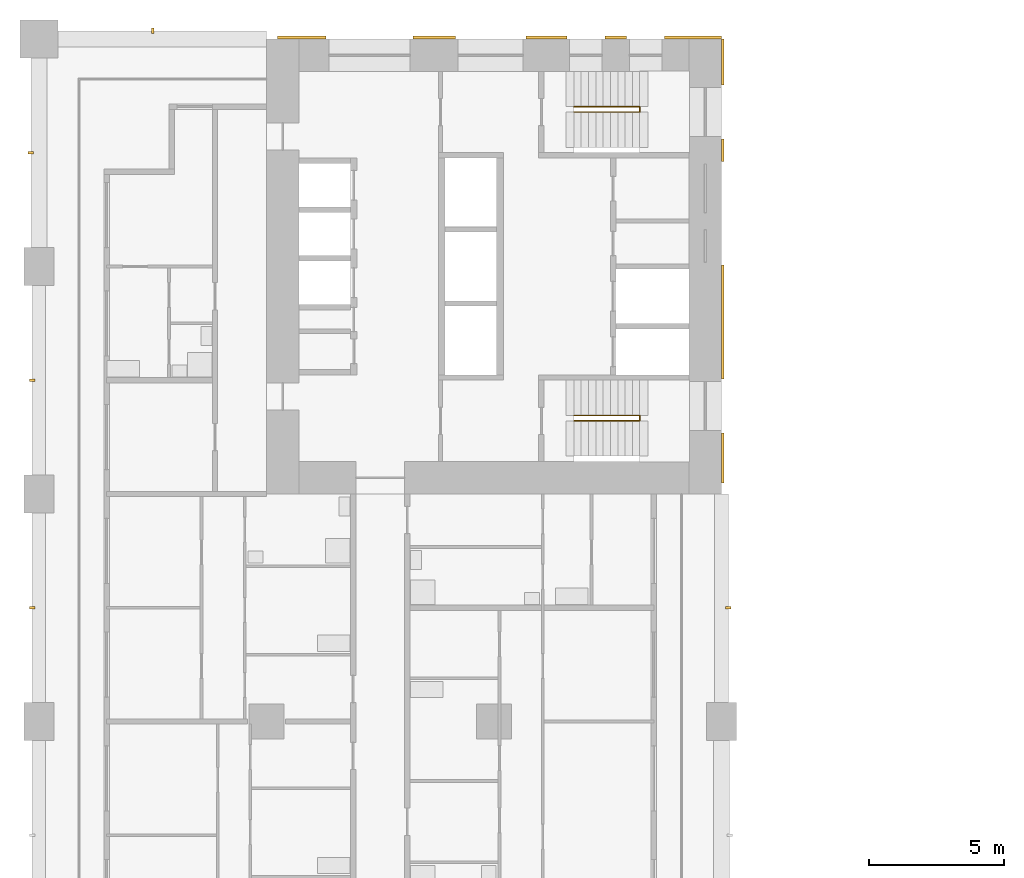
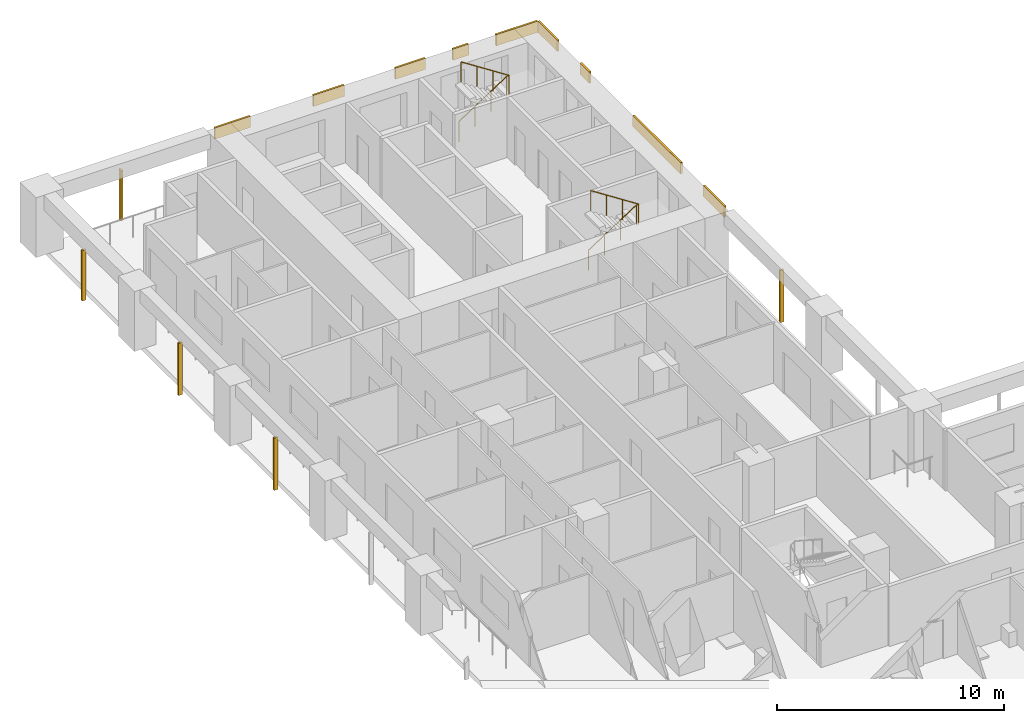
# One storey, part 16 of 19: 14 shading devices, 2 railings.
"""IFC4 building model written with IfcOpenShell, lengths in metres."""

from ifc_helpers import new_model, si_unit, direction, frame, origin, origin_2d, place, context, subcontext, project, spatial, rectangle, circle, extrude, material, layer, layer_set, material_profile, profile_set, type_object, element, save


model = new_model("IFC4")

# Units and contexts
model_context = context("Model", 3, precision=1e-05, world=origin(), true_north=direction((0.0, 1.0)))
body_context = subcontext(model_context, "Body", "Model", "MODEL_VIEW")
ifc_project = project(units=[si_unit("LENGTHUNIT", "METRE"), si_unit("AREAUNIT", "SQUARE_METRE"), si_unit("VOLUMEUNIT", "CUBIC_METRE"), si_unit("PLANEANGLEUNIT", "RADIAN"), si_unit("MASSUNIT", "GRAM", prefix="KILO")], contexts=[model_context])

# Site, building, storey
site_placement = place(None, origin())
site = spatial("IfcSite", under=ifc_project, at=site_placement, CompositionType="ELEMENT")
building_placement = place(site_placement, origin())
building = spatial("IfcBuilding", under=site, at=building_placement, Name="Vermilion Gate Residences", CompositionType="ELEMENT")
storey_placement = place(building_placement, frame((0.0, 0.0, 46.199951171875)))
storey = spatial("IfcBuildingStorey", under=building, at=storey_placement, Name="L10", CompositionType="ELEMENT", Elevation=46.199951171875)

# Railings
ifc_material_1 = material(Name="Steel S355", Category="steel")
railing_type = type_object("IfcRailingType", Name="STAIR GUARD 1100 STEEL", PredefinedType="GUARDRAIL", material=ifc_material_1)
for number, where, name in (
    (1, (19.75, 56.300048828125, 0.175048828125), "Stair well guard STB1-10"),
    (2, (19.75, 44.89990234375, 0.175048828125), "Stair well guard STB2-10"),
):
    element("IfcRailing", number, at=place(storey_placement, frame(where)), inside=storey, type_object=railing_type, Name=name, PredefinedType="GUARDRAIL", context=body_context, shape_type="SweptSolid", body=[
        extrude(circle(Radius=0.02392578125, at=origin_2d()), frame((0.0, 0.0, 1.076171875), z_axis=(0.839153699163, 0.0, 0.543894354798), x_axis=(0.0, 1.0, 0.0)), (0.0, 0.0, 1.0), 2.895751953125),
        extrude(circle(Radius=0.02392578125, at=origin_2d()), frame((2.429931640625, 0.0, 2.65087890625), z_axis=(0.0, -0.752405939678, 0.658699705433), x_axis=(1.0, 0.0, 0.0)), (0.0, 0.0, 1.0), 0.265869140625),
        extrude(circle(Radius=0.02392578125, at=origin_2d()), frame((2.429931640625, -0.199951171875, 2.826171875), z_axis=(-0.839153699163, 0.0, 0.543894354798), x_axis=(0.0, -1.0, 0.0)), (0.0, 0.0, 1.0), 2.895751953125),
        extrude(circle(Radius=0.02099609375, at=origin_2d()), origin(), (0.0, 0.0, 1.0), 1.052001953125),
        extrude(circle(Radius=0.02099609375, at=origin_2d()), frame((0.81005859375, 0.0, 0.52490234375)), (0.0, 0.0, 1.0), 1.052001953125),
        extrude(circle(Radius=0.02099609375, at=origin_2d()), frame((1.619873046875, 0.0, 1.050048828125)), (0.0, 0.0, 1.0), 1.052001953125),
        extrude(circle(Radius=0.02099609375, at=origin_2d()), frame((2.429931640625, 0.0, 1.574951171875)), (0.0, 0.0, 1.0), 1.052001953125),
        extrude(circle(Radius=0.02099609375, at=origin_2d()), frame((2.429931640625, -0.199951171875, 1.75)), (0.0, 0.0, 1.0), 1.052001953125),
        extrude(circle(Radius=0.02099609375, at=origin_2d()), frame((1.619873046875, -0.199951171875, 2.27490234375)), (0.0, 0.0, 1.0), 1.052001953125),
        extrude(circle(Radius=0.02099609375, at=origin_2d()), frame((0.81005859375, -0.199951171875, 2.800048828125)), (0.0, 0.0, 1.0), 1.052001953125),
        extrude(circle(Radius=0.02099609375, at=origin_2d()), frame((0.0, -0.199951171875, 3.324951171875)), (0.0, 0.0, 1.0), 1.052001953125),
    ])

# Shading devices
ifc_material_2 = material(Name="Extruded terracotta", Category="masonry")
ifc_material_profile = material_profile(ifc_material_2, rectangle(XDim=0.199951171875, YDim=0.10009765625, at=origin_2d()), Name="BAGUETTE 100 X 200")
ifc_profile_set = profile_set([ifc_material_profile], Name="Extruded terracotta")
shading_device_type_1 = type_object("IfcShadingDeviceType", Name="TERRACOTTA BAGUETTE 100 X 200", PredefinedType="JALOUSIE", material=ifc_profile_set)
shading_device_1_placement = place(storey_placement, frame((25.449951171875, 37.800048828125, -0.280029296875), z_axis=(0.0, 0.0, 1.0), x_axis=(-1.0, 0.0, 0.0)))
element("IfcShadingDevice", 3, at=shading_device_1_placement, inside=storey, type_object=shading_device_type_1, Name="BAGUETTE", PredefinedType="JALOUSIE", context=body_context, shape_type="SweptSolid", body=[
    extrude(rectangle(XDim=0.199951171875, YDim=0.10009765625, at=origin_2d()), origin(), (0.0, 0.0, 1.0), 2.800048828125),
])
shading_device_2_placement = place(storey_placement, frame((4.199951171875, 59.10009765625, -0.280029296875), z_axis=(0.0, 0.0, 1.0), x_axis=(0.0, -1.0, 0.0)))
element("IfcShadingDevice", 4, at=shading_device_2_placement, inside=storey, type_object=shading_device_type_1, Name="BAGUETTE", PredefinedType="JALOUSIE", context=body_context, shape_type="SweptSolid", body=[
    extrude(rectangle(XDim=0.199951171875, YDim=0.10009765625, at=origin_2d()), origin(), (0.0, 0.0, 1.0), 2.7001953125),
])
for number, where, z_axis, x_axis, name in (
    (5, (-0.25, 37.800048828125, -0.280029296875), (0.0, 0.0, 1.0), (1.0, 0.0, 0.0), "BAGUETTE"),
    (6, (-0.25, 46.199951171875, -0.280029296875), (0.0, 0.0, 1.0), (1.0, 0.0, 0.0), "BAGUETTE"),
):
    element("IfcShadingDevice", number, at=place(storey_placement, frame(where, z_axis=z_axis, x_axis=x_axis)), inside=storey, type_object=shading_device_type_1, Name=name, PredefinedType="JALOUSIE", context=body_context, shape_type="SweptSolid", body=[
        extrude(rectangle(XDim=0.199951171875, YDim=0.10009765625, at=origin_2d()), origin(), (0.0, 0.0, 1.0), 2.800048828125),
    ])
shading_device_3_placement = place(storey_placement, frame((-0.300048828125, 54.60009765625, -0.280029296875), z_axis=(0.0, 0.0, 1.0), x_axis=(1.0, 0.0, 0.0)))
element("IfcShadingDevice", 7, at=shading_device_3_placement, inside=storey, type_object=shading_device_type_1, Name="BAGUETTE", PredefinedType="JALOUSIE", context=body_context, shape_type="SweptSolid", body=[
    extrude(rectangle(XDim=0.199951171875, YDim=0.10009765625, at=origin_2d()), origin(), (0.0, 0.0, 1.0), 2.7001953125),
])
ifc_material_3 = material(Name="Extruded terracotta", Category="masonry")
ifc_layer = layer(ifc_material_3, 0.10009765625)
ifc_layer_set = layer_set([ifc_layer], Name="TERRACOTTA SPANDREL BAND 600 X 100")
shading_device_type_2 = type_object("IfcShadingDeviceType", Name="TERRACOTTA SPANDREL BAND 600 X 100", PredefinedType="USERDEFINED", material=ifc_layer_set)
shading_device_4_placement = place(storey_placement, frame((9.702392578125, 58.85009765625, 2.6201171875), z_axis=(0.0, 0.0, 1.0), x_axis=(1.0, 0.0, 0.0)))
element("IfcShadingDevice", 8, at=shading_device_4_placement, inside=storey, type_object=shading_device_type_2, Name="SPANDREL BAND", ObjectType="BAND", PredefinedType="USERDEFINED", context=body_context, shape_type="SweptSolid", body=[
    extrude(rectangle(XDim=1.804931640625, YDim=0.10009765625, at=origin_2d()), origin(), (0.0, 0.0, 1.0), 0.60009765625),
])
shading_device_5_placement = place(storey_placement, frame((14.590087890625, 58.85009765625, 2.6201171875), z_axis=(0.0, 0.0, 1.0), x_axis=(1.0, 0.0, 0.0)))
element("IfcShadingDevice", 9, at=shading_device_5_placement, inside=storey, type_object=shading_device_type_2, Name="SPANDREL BAND", ObjectType="BAND", PredefinedType="USERDEFINED", context=body_context, shape_type="SweptSolid", body=[
    extrude(rectangle(XDim=1.570068359375, YDim=0.10009765625, at=origin_2d()), origin(), (0.0, 0.0, 1.0), 0.60009765625),
])
shading_device_6_placement = place(storey_placement, frame((18.734130859375, 58.85009765625, 2.6201171875), z_axis=(0.0, 0.0, 1.0), x_axis=(1.0, 0.0, 0.0)))
element("IfcShadingDevice", 10, at=shading_device_6_placement, inside=storey, type_object=shading_device_type_2, Name="SPANDREL BAND", ObjectType="BAND", PredefinedType="USERDEFINED", context=body_context, shape_type="SweptSolid", body=[
    extrude(rectangle(XDim=1.518310546875, YDim=0.10009765625, at=origin_2d()), origin(), (0.0, 0.0, 1.0), 0.60009765625),
])
shading_device_7_placement = place(storey_placement, frame((21.294921875, 58.85009765625, 2.6201171875), z_axis=(0.0, 0.0, 1.0), x_axis=(1.0, 0.0, 0.0)))
element("IfcShadingDevice", 11, at=shading_device_7_placement, inside=storey, type_object=shading_device_type_2, Name="SPANDREL BAND", ObjectType="BAND", PredefinedType="USERDEFINED", context=body_context, shape_type="SweptSolid", body=[
    extrude(rectangle(XDim=0.803466796875, YDim=0.10009765625, at=origin_2d()), origin(), (0.0, 0.0, 1.0), 0.60009765625),
])
shading_device_8_placement = place(storey_placement, frame((24.1484375, 58.85009765625, 2.6201171875), z_axis=(0.0, 0.0, 1.0), x_axis=(1.0, 0.0, 0.0)))
element("IfcShadingDevice", 12, at=shading_device_8_placement, inside=storey, type_object=shading_device_type_2, Name="SPANDREL BAND", ObjectType="BAND", PredefinedType="USERDEFINED", context=body_context, shape_type="SweptSolid", body=[
    extrude(rectangle(XDim=2.103271484375, YDim=0.10009765625, at=origin_2d()), origin(), (0.0, 0.0, 1.0), 0.60009765625),
])
shading_device_9_placement = place(storey_placement, frame((25.25, 43.324951171875, 2.6201171875), z_axis=(0.0, 0.0, 1.0), x_axis=(0.0, 1.0, 0.0)))
element("IfcShadingDevice", 13, at=shading_device_9_placement, inside=storey, type_object=shading_device_type_2, Name="SPANDREL BAND", ObjectType="BAND", PredefinedType="USERDEFINED", context=body_context, shape_type="SweptSolid", body=[
    extrude(rectangle(XDim=1.85009765625, YDim=0.10009765625, at=origin_2d()), origin(), (0.0, 0.0, 1.0), 0.60009765625),
])
shading_device_10_placement = place(storey_placement, frame((25.25, 48.35009765625, 2.6201171875), z_axis=(0.0, 0.0, 1.0), x_axis=(0.0, 1.0, 0.0)))
element("IfcShadingDevice", 14, at=shading_device_10_placement, inside=storey, type_object=shading_device_type_2, Name="SPANDREL BAND", ObjectType="BAND", PredefinedType="USERDEFINED", context=body_context, shape_type="SweptSolid", body=[
    extrude(rectangle(XDim=4.199951171875, YDim=0.10009765625, at=origin_2d()), origin(), (0.0, 0.0, 1.0), 0.60009765625),
])
shading_device_11_placement = place(storey_placement, frame((25.25, 54.6875, 2.6201171875), z_axis=(0.0, 0.0, 1.0), x_axis=(0.0, 1.0, 0.0)))
element("IfcShadingDevice", 15, at=shading_device_11_placement, inside=storey, type_object=shading_device_type_2, Name="SPANDREL BAND", ObjectType="BAND", PredefinedType="USERDEFINED", context=body_context, shape_type="SweptSolid", body=[
    extrude(rectangle(XDim=0.824951171875, YDim=0.10009765625, at=origin_2d()), origin(), (0.0, 0.0, 1.0), 0.60009765625),
])
shading_device_12_placement = place(storey_placement, frame((25.25, 57.949951171875, 2.6201171875), z_axis=(0.0, 0.0, 1.0), x_axis=(0.0, 1.0, 0.0)))
element("IfcShadingDevice", 16, at=shading_device_12_placement, inside=storey, type_object=shading_device_type_2, Name="SPANDREL BAND", ObjectType="BAND", PredefinedType="USERDEFINED", context=body_context, shape_type="SweptSolid", body=[
    extrude(rectangle(XDim=1.699951171875, YDim=0.10009765625, at=origin_2d()), origin(), (0.0, 0.0, 1.0), 0.60009765625),
])

save(model, "model.ifc")
